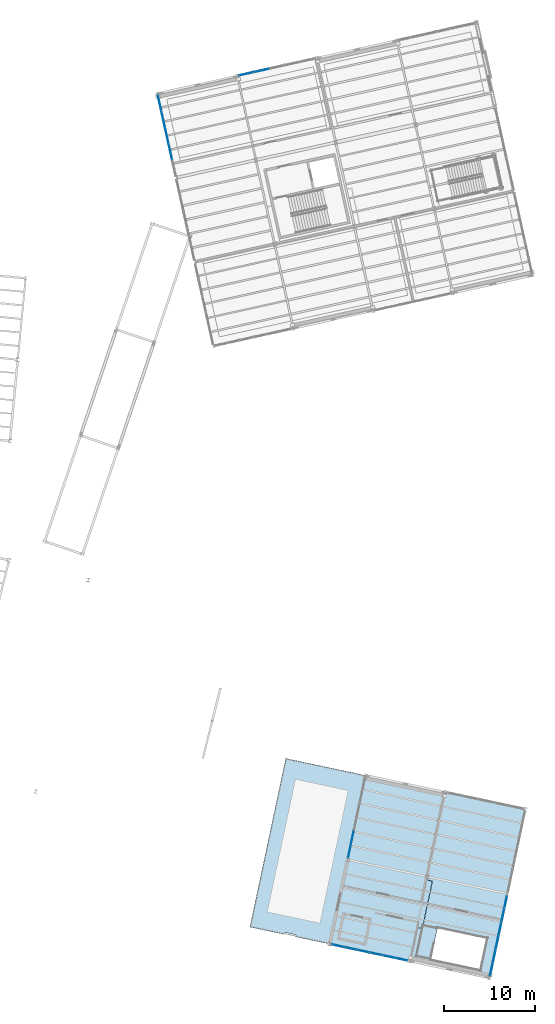
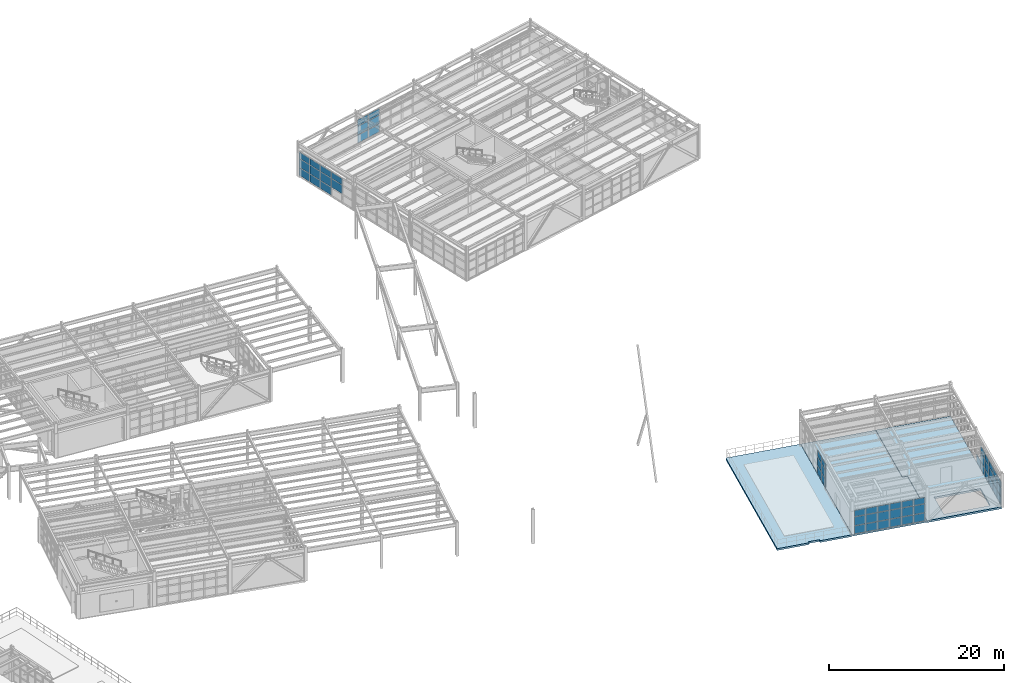
# One storey, part 73 of 109: 57 plates, 3 slabs, 5 elements without a shape of their own.
"""IFC4 building model written with IfcOpenShell, lengths in metres."""

from ifc_helpers import new_model, si_unit, direction, frame, origin, origin_2d, place, context, subcontext, project, spatial, polyline, rectangle, outline, extrude, material, layer, layer_set, type_object, element, aggregate, save


model = new_model("IFC4")

# Units and contexts
model_context = context("Model", 3, precision=1e-05, world=origin(), true_north=direction((0.0, 1.0)))
body_context = subcontext(model_context, "Body", "Model", "MODEL_VIEW")
ifc_project = project(units=[si_unit("LENGTHUNIT", "METRE"), si_unit("AREAUNIT", "SQUARE_METRE"), si_unit("VOLUMEUNIT", "CUBIC_METRE"), si_unit("PLANEANGLEUNIT", "RADIAN"), si_unit("MASSUNIT", "GRAM", prefix="KILO")], contexts=[model_context])

# Site, building, storey
site_placement = place(None, origin())
site = spatial("IfcSite", under=ifc_project, at=site_placement, CompositionType="ELEMENT")
building_placement = place(site_placement, origin())
building = spatial("IfcBuilding", under=site, at=building_placement, Name="Vireo Bluff Cable Station", CompositionType="ELEMENT")
storey_placement = place(building_placement, frame((0.0, 0.0, 4.800048828125)))
storey = spatial("IfcBuildingStorey", under=building, at=storey_placement, Name="L01", CompositionType="ELEMENT", Elevation=4.800048828125)

# Curtain wall, plates
ifc_material_1 = material(Name="Anodized Aluminium 6063-T6", Category="aluminium")
ifc_layer_1 = layer(ifc_material_1, 0.179931640625, Name="Anodized Aluminium 6063-T6")
ifc_layer_set_1 = layer_set([ifc_layer_1], Name="Anodized Aluminium 6063-T6")
curtain_wall_type_1 = type_object("IfcCurtainWallType", Name="CW-UNIT-1400", PredefinedType="USERDEFINED", material=ifc_layer_set_1)
curtain_wall_1_placement = place(storey_placement, origin())
curtain_wall_1 = element("IfcCurtainWall", 1, at=curtain_wall_1_placement, inside=storey, type_object=curtain_wall_type_1, Name="V5E L01 south curtain wall CW-135", ObjectType="UNITISED CURTAIN WALL", PredefinedType="USERDEFINED")
ifc_material_2 = material(Name="Laminated Low-E Insulated Glass", Category="glass")
ifc_layer_2 = layer(ifc_material_2, 0.028076171875, Name="Laminated Low-E Insulated Glass")
ifc_layer_set_2 = layer_set([ifc_layer_2], Name="Laminated Low-E Insulated Glass")
plate_type_1 = type_object("IfcPlateType", Name="CWP-28-1", PredefinedType="CURTAIN_PANEL", material=ifc_layer_set_2)
plate_1_placement = place(storey_placement, frame((146.701171875, 6.4501953125, 0.080078125), z_axis=(0.0, 0.0, 1.0), x_axis=(-0.978147605487, 0.207911668454, 0.0)))
plate_1 = element("IfcPlate", 2, at=plate_1_placement, type_object=plate_type_1, Name="CW-135 panel 1.1", PredefinedType="CURTAIN_PANEL", context=body_context, shape_type="SweptSolid", body=[
    extrude(rectangle(XDim=1.317626953125, YDim=0.028076171875, at=origin_2d()), origin(), (0.0, 0.0, 1.0), 1.070068359375),
])
plate_2_placement = place(storey_placement, frame((146.701171875, 6.4501953125, 1.22998046875), z_axis=(0.0, 0.0, 1.0), x_axis=(-0.978147605487, 0.207911668454, 0.0)))
plate_2 = element("IfcPlate", 3, at=plate_2_placement, type_object=plate_type_1, Name="CW-135 panel 1.2", PredefinedType="CURTAIN_PANEL", context=body_context, shape_type="SweptSolid", body=[
    extrude(rectangle(XDim=1.317626953125, YDim=0.028076171875, at=origin_2d()), origin(), (0.0, 0.0, 1.0), 1.177978515625),
])
plate_3_placement = place(storey_placement, frame((146.701171875, 6.4501953125, 2.488037109375), z_axis=(0.0, 0.0, 1.0), x_axis=(-0.978147605487, 0.207911668454, 0.0)))
plate_3 = element("IfcPlate", 4, at=plate_3_placement, type_object=plate_type_1, Name="CW-135 panel 1.3", PredefinedType="CURTAIN_PANEL", context=body_context, shape_type="SweptSolid", body=[
    extrude(rectangle(XDim=1.317626953125, YDim=0.028076171875, at=origin_2d()), origin(), (0.0, 0.0, 1.0), 0.83203125),
])
plate_4_placement = place(storey_placement, frame((145.314453125, 6.744873046875, 0.080078125), z_axis=(0.0, 0.0, 1.0), x_axis=(-0.978147605487, 0.207911668454, 0.0)))
plate_4 = element("IfcPlate", 5, at=plate_4_placement, type_object=plate_type_1, Name="CW-135 panel 2.1", PredefinedType="CURTAIN_PANEL", context=body_context, shape_type="SweptSolid", body=[
    extrude(rectangle(XDim=1.357666015625, YDim=0.028076171875, at=origin_2d()), origin(), (0.0, 0.0, 1.0), 1.070068359375),
])
plate_5_placement = place(storey_placement, frame((145.314453125, 6.744873046875, 1.22998046875), z_axis=(0.0, 0.0, 1.0), x_axis=(-0.978147605487, 0.207911668454, 0.0)))
plate_5 = element("IfcPlate", 6, at=plate_5_placement, type_object=plate_type_1, Name="CW-135 panel 2.2", PredefinedType="CURTAIN_PANEL", context=body_context, shape_type="SweptSolid", body=[
    extrude(rectangle(XDim=1.357666015625, YDim=0.028076171875, at=origin_2d()), origin(), (0.0, 0.0, 1.0), 1.177978515625),
])
plate_6_placement = place(storey_placement, frame((145.314453125, 6.744873046875, 2.488037109375), z_axis=(0.0, 0.0, 1.0), x_axis=(-0.978147605487, 0.207911668454, 0.0)))
plate_6 = element("IfcPlate", 7, at=plate_6_placement, type_object=plate_type_1, Name="CW-135 panel 2.3", PredefinedType="CURTAIN_PANEL", context=body_context, shape_type="SweptSolid", body=[
    extrude(rectangle(XDim=1.357666015625, YDim=0.028076171875, at=origin_2d()), origin(), (0.0, 0.0, 1.0), 0.83203125),
])
plate_7_placement = place(storey_placement, frame((143.908203125, 7.043701171875, 0.080078125), z_axis=(0.0, 0.0, 1.0), x_axis=(-0.978147605487, 0.207911668454, 0.0)))
plate_7 = element("IfcPlate", 8, at=plate_7_placement, type_object=plate_type_1, Name="CW-135 panel 3.1", PredefinedType="CURTAIN_PANEL", context=body_context, shape_type="SweptSolid", body=[
    extrude(rectangle(XDim=1.357666015625, YDim=0.028076171875, at=origin_2d()), origin(), (0.0, 0.0, 1.0), 1.070068359375),
])
plate_8_placement = place(storey_placement, frame((143.908203125, 7.043701171875, 1.22998046875), z_axis=(0.0, 0.0, 1.0), x_axis=(-0.978147605487, 0.207911668454, 0.0)))
plate_8 = element("IfcPlate", 9, at=plate_8_placement, type_object=plate_type_1, Name="CW-135 panel 3.2", PredefinedType="CURTAIN_PANEL", context=body_context, shape_type="SweptSolid", body=[
    extrude(rectangle(XDim=1.357666015625, YDim=0.028076171875, at=origin_2d()), origin(), (0.0, 0.0, 1.0), 1.177978515625),
])
plate_9_placement = place(storey_placement, frame((143.908203125, 7.043701171875, 2.488037109375), z_axis=(0.0, 0.0, 1.0), x_axis=(-0.978147605487, 0.207911668454, 0.0)))
plate_9 = element("IfcPlate", 10, at=plate_9_placement, type_object=plate_type_1, Name="CW-135 panel 3.3", PredefinedType="CURTAIN_PANEL", context=body_context, shape_type="SweptSolid", body=[
    extrude(rectangle(XDim=1.357666015625, YDim=0.028076171875, at=origin_2d()), origin(), (0.0, 0.0, 1.0), 0.83203125),
])
plate_10_placement = place(storey_placement, frame((142.501953125, 7.342529296875, 0.080078125), z_axis=(0.0, 0.0, 1.0), x_axis=(-0.978147605487, 0.207911668454, 0.0)))
plate_10 = element("IfcPlate", 11, at=plate_10_placement, type_object=plate_type_1, Name="CW-135 panel 4.1", PredefinedType="CURTAIN_PANEL", context=body_context, shape_type="SweptSolid", body=[
    extrude(rectangle(XDim=1.357666015625, YDim=0.028076171875, at=origin_2d()), origin(), (0.0, 0.0, 1.0), 1.070068359375),
])
plate_11_placement = place(storey_placement, frame((142.501953125, 7.342529296875, 1.22998046875), z_axis=(0.0, 0.0, 1.0), x_axis=(-0.978147605487, 0.207911668454, 0.0)))
plate_11 = element("IfcPlate", 12, at=plate_11_placement, type_object=plate_type_1, Name="CW-135 panel 4.2", PredefinedType="CURTAIN_PANEL", context=body_context, shape_type="SweptSolid", body=[
    extrude(rectangle(XDim=1.357666015625, YDim=0.028076171875, at=origin_2d()), origin(), (0.0, 0.0, 1.0), 1.177978515625),
])
plate_12_placement = place(storey_placement, frame((142.501953125, 7.342529296875, 2.488037109375), z_axis=(0.0, 0.0, 1.0), x_axis=(-0.978147605487, 0.207911668454, 0.0)))
plate_12 = element("IfcPlate", 13, at=plate_12_placement, type_object=plate_type_1, Name="CW-135 panel 4.3", PredefinedType="CURTAIN_PANEL", context=body_context, shape_type="SweptSolid", body=[
    extrude(rectangle(XDim=1.357666015625, YDim=0.028076171875, at=origin_2d()), origin(), (0.0, 0.0, 1.0), 0.83203125),
])
plate_13_placement = place(storey_placement, frame((141.095703125, 7.6416015625, 0.080078125), z_axis=(0.0, 0.0, 1.0), x_axis=(-0.978147605487, 0.207911668454, 0.0)))
plate_13 = element("IfcPlate", 14, at=plate_13_placement, type_object=plate_type_1, Name="CW-135 panel 5.1", PredefinedType="CURTAIN_PANEL", context=body_context, shape_type="SweptSolid", body=[
    extrude(rectangle(XDim=1.357666015625, YDim=0.028076171875, at=origin_2d()), origin(), (0.0, 0.0, 1.0), 1.070068359375),
])
plate_14_placement = place(storey_placement, frame((141.095703125, 7.6416015625, 1.22998046875), z_axis=(0.0, 0.0, 1.0), x_axis=(-0.978147605487, 0.207911668454, 0.0)))
plate_14 = element("IfcPlate", 15, at=plate_14_placement, type_object=plate_type_1, Name="CW-135 panel 5.2", PredefinedType="CURTAIN_PANEL", context=body_context, shape_type="SweptSolid", body=[
    extrude(rectangle(XDim=1.357666015625, YDim=0.028076171875, at=origin_2d()), origin(), (0.0, 0.0, 1.0), 1.177978515625),
])
plate_15_placement = place(storey_placement, frame((141.095703125, 7.6416015625, 2.488037109375), z_axis=(0.0, 0.0, 1.0), x_axis=(-0.978147605487, 0.207911668454, 0.0)))
plate_15 = element("IfcPlate", 16, at=plate_15_placement, type_object=plate_type_1, Name="CW-135 panel 5.3", PredefinedType="CURTAIN_PANEL", context=body_context, shape_type="SweptSolid", body=[
    extrude(rectangle(XDim=1.357666015625, YDim=0.028076171875, at=origin_2d()), origin(), (0.0, 0.0, 1.0), 0.83203125),
])
plate_16_placement = place(storey_placement, frame((139.708984375, 7.936279296875, 0.080078125), z_axis=(0.0, 0.0, 1.0), x_axis=(-0.978147605487, 0.207911668454, 0.0)))
plate_16 = element("IfcPlate", 17, at=plate_16_placement, type_object=plate_type_1, Name="CW-135 panel 6.1", PredefinedType="CURTAIN_PANEL", context=body_context, shape_type="SweptSolid", body=[
    extrude(rectangle(XDim=1.317626953125, YDim=0.028076171875, at=origin_2d()), origin(), (0.0, 0.0, 1.0), 1.070068359375),
])
plate_17_placement = place(storey_placement, frame((139.708984375, 7.936279296875, 1.22998046875), z_axis=(0.0, 0.0, 1.0), x_axis=(-0.978147605487, 0.207911668454, 0.0)))
plate_17 = element("IfcPlate", 18, at=plate_17_placement, type_object=plate_type_1, Name="CW-135 panel 6.2", PredefinedType="CURTAIN_PANEL", context=body_context, shape_type="SweptSolid", body=[
    extrude(rectangle(XDim=1.317626953125, YDim=0.028076171875, at=origin_2d()), origin(), (0.0, 0.0, 1.0), 1.177978515625),
])
plate_18_placement = place(storey_placement, frame((139.708984375, 7.936279296875, 2.488037109375), z_axis=(0.0, 0.0, 1.0), x_axis=(-0.978147605487, 0.207911668454, 0.0)))
plate_18 = element("IfcPlate", 19, at=plate_18_placement, type_object=plate_type_1, Name="CW-135 panel 6.3", PredefinedType="CURTAIN_PANEL", context=body_context, shape_type="SweptSolid", body=[
    extrude(rectangle(XDim=1.317626953125, YDim=0.028076171875, at=origin_2d()), origin(), (0.0, 0.0, 1.0), 0.83203125),
])
aggregate(curtain_wall_1, [plate_1, plate_2, plate_3, plate_4, plate_5, plate_6, plate_7, plate_8, plate_9, plate_10, plate_11, plate_12, plate_13, plate_14, plate_15, plate_16, plate_17, plate_18])

ifc_layer_3 = layer(ifc_material_1, 0.159912109375, Name="Anodized Aluminium 6063-T6")
ifc_layer_set_3 = layer_set([ifc_layer_3], Name="Anodized Aluminium 6063-T6")
curtain_wall_type_2 = type_object("IfcCurtainWallType", Name="CW-STICK-1750", PredefinedType="USERDEFINED", material=ifc_layer_set_3)
curtain_wall_2_placement = place(storey_placement, origin())
curtain_wall_2 = element("IfcCurtainWall", 20, at=curtain_wall_2_placement, inside=storey, type_object=curtain_wall_type_2, Name="V2 L01 west curtain wall CW-046", ObjectType="STICK CURTAIN WALL", PredefinedType="USERDEFINED")
ifc_layer_4 = layer(ifc_material_2, 0.031982421875, Name="Laminated Low-E Insulated Glass")
ifc_layer_set_4 = layer_set([ifc_layer_4], Name="Laminated Low-E Insulated Glass")
plate_type_2 = type_object("IfcPlateType", Name="CWP-32-2", PredefinedType="CURTAIN_PANEL", material=ifc_layer_set_4)
plate_19_placement = place(storey_placement, frame((121.251708984375, 95.41845703125, 1.2197265625), z_axis=(0.0, 0.0, 1.0), x_axis=(-0.216439589418, 0.976296012556, 0.0)))
plate_19 = element("IfcPlate", 21, at=plate_19_placement, type_object=plate_type_2, Name="CW-046 panel 2.2", PredefinedType="CURTAIN_PANEL", context=body_context, shape_type="SweptSolid", body=[
    extrude(rectangle(XDim=1.777587890625, YDim=0.031982421875, at=origin_2d()), origin(), (0.0, 0.0, 1.0), 1.197998046875),
])
plate_20_placement = place(storey_placement, frame((121.251708984375, 95.41845703125, 2.47802734375), z_axis=(0.0, 0.0, 1.0), x_axis=(-0.216439589418, 0.976296012556, 0.0)))
plate_20 = element("IfcPlate", 22, at=plate_20_placement, type_object=plate_type_2, Name="CW-046 panel 2.3", PredefinedType="CURTAIN_PANEL", context=body_context, shape_type="SweptSolid", body=[
    extrude(rectangle(XDim=1.777587890625, YDim=0.031982421875, at=origin_2d()), origin(), (0.0, 0.0, 1.0), 0.862060546875),
])
plate_21_placement = place(storey_placement, frame((120.85400390625, 97.21240234375, 0.059814453125), z_axis=(0.0, 0.0, 1.0), x_axis=(-0.216439589418, 0.976296012556, 0.0)))
plate_21 = element("IfcPlate", 23, at=plate_21_placement, type_object=plate_type_2, Name="CW-046 panel 3.1", PredefinedType="CURTAIN_PANEL", context=body_context, shape_type="SweptSolid", body=[
    extrude(rectangle(XDim=1.777587890625, YDim=0.031982421875, at=origin_2d()), origin(), (0.0, 0.0, 1.0), 1.10009765625),
])
plate_22_placement = place(storey_placement, frame((120.85400390625, 97.21240234375, 1.2197265625), z_axis=(0.0, 0.0, 1.0), x_axis=(-0.216439589418, 0.976296012556, 0.0)))
plate_22 = element("IfcPlate", 24, at=plate_22_placement, type_object=plate_type_2, Name="CW-046 panel 3.2", PredefinedType="CURTAIN_PANEL", context=body_context, shape_type="SweptSolid", body=[
    extrude(rectangle(XDim=1.777587890625, YDim=0.031982421875, at=origin_2d()), origin(), (0.0, 0.0, 1.0), 1.197998046875),
])
plate_23_placement = place(storey_placement, frame((120.85400390625, 97.21240234375, 2.47802734375), z_axis=(0.0, 0.0, 1.0), x_axis=(-0.216439589418, 0.976296012556, 0.0)))
plate_23 = element("IfcPlate", 25, at=plate_23_placement, type_object=plate_type_2, Name="CW-046 panel 3.3", PredefinedType="CURTAIN_PANEL", context=body_context, shape_type="SweptSolid", body=[
    extrude(rectangle(XDim=1.777587890625, YDim=0.031982421875, at=origin_2d()), origin(), (0.0, 0.0, 1.0), 0.862060546875),
])
plate_24_placement = place(storey_placement, frame((120.456298828125, 99.00634765625, 0.059814453125), z_axis=(0.0, 0.0, 1.0), x_axis=(-0.216439589418, 0.976296012556, 0.0)))
plate_24 = element("IfcPlate", 26, at=plate_24_placement, type_object=plate_type_2, Name="CW-046 panel 4.1", PredefinedType="CURTAIN_PANEL", context=body_context, shape_type="SweptSolid", body=[
    extrude(rectangle(XDim=1.777587890625, YDim=0.031982421875, at=origin_2d()), origin(), (0.0, 0.0, 1.0), 1.10009765625),
])
plate_25_placement = place(storey_placement, frame((120.456298828125, 99.00634765625, 1.2197265625), z_axis=(0.0, 0.0, 1.0), x_axis=(-0.216439589418, 0.976296012556, 0.0)))
plate_25 = element("IfcPlate", 27, at=plate_25_placement, type_object=plate_type_2, Name="CW-046 panel 4.2", PredefinedType="CURTAIN_PANEL", context=body_context, shape_type="SweptSolid", body=[
    extrude(rectangle(XDim=1.777587890625, YDim=0.031982421875, at=origin_2d()), origin(), (0.0, 0.0, 1.0), 1.197998046875),
])
plate_26_placement = place(storey_placement, frame((120.456298828125, 99.00634765625, 2.47802734375), z_axis=(0.0, 0.0, 1.0), x_axis=(-0.216439589418, 0.976296012556, 0.0)))
plate_26 = element("IfcPlate", 28, at=plate_26_placement, type_object=plate_type_2, Name="CW-046 panel 4.3", PredefinedType="CURTAIN_PANEL", context=body_context, shape_type="SweptSolid", body=[
    extrude(rectangle(XDim=1.777587890625, YDim=0.031982421875, at=origin_2d()), origin(), (0.0, 0.0, 1.0), 0.862060546875),
])
plate_27_placement = place(storey_placement, frame((120.061767578125, 100.785888671875, 0.059814453125), z_axis=(0.0, 0.0, 1.0), x_axis=(-0.216439589418, 0.976296012556, 0.0)))
plate_27 = element("IfcPlate", 29, at=plate_27_placement, type_object=plate_type_2, Name="CW-046 panel 5.1", PredefinedType="CURTAIN_PANEL", context=body_context, shape_type="SweptSolid", body=[
    extrude(rectangle(XDim=1.74755859375, YDim=0.031982421875, at=origin_2d()), origin(), (0.0, 0.0, 1.0), 1.10009765625),
])
plate_28_placement = place(storey_placement, frame((120.061767578125, 100.785888671875, 1.2197265625), z_axis=(0.0, 0.0, 1.0), x_axis=(-0.216439589418, 0.976296012556, 0.0)))
plate_28 = element("IfcPlate", 30, at=plate_28_placement, type_object=plate_type_2, Name="CW-046 panel 5.2", PredefinedType="CURTAIN_PANEL", context=body_context, shape_type="SweptSolid", body=[
    extrude(rectangle(XDim=1.74755859375, YDim=0.031982421875, at=origin_2d()), origin(), (0.0, 0.0, 1.0), 1.197998046875),
])
plate_29_placement = place(storey_placement, frame((120.061767578125, 100.785888671875, 2.47802734375), z_axis=(0.0, 0.0, 1.0), x_axis=(-0.216439589418, 0.976296012556, 0.0)))
plate_29 = element("IfcPlate", 31, at=plate_29_placement, type_object=plate_type_2, Name="CW-046 panel 5.3", PredefinedType="CURTAIN_PANEL", context=body_context, shape_type="SweptSolid", body=[
    extrude(rectangle(XDim=1.74755859375, YDim=0.031982421875, at=origin_2d()), origin(), (0.0, 0.0, 1.0), 0.862060546875),
])
aggregate(curtain_wall_2, [plate_19, plate_20, plate_21, plate_22, plate_23, plate_24, plate_25, plate_26, plate_27, plate_28, plate_29])

ifc_layer_5 = layer(ifc_material_1, 0.179931640625, Name="Anodized Aluminium 6063-T6")
ifc_layer_set_5 = layer_set([ifc_layer_5], Name="Anodized Aluminium 6063-T6")
curtain_wall_type_3 = type_object("IfcCurtainWallType", Name="CW-UNIT-1500", PredefinedType="USERDEFINED", material=ifc_layer_set_5)
curtain_wall_3_placement = place(storey_placement, origin())
curtain_wall_3 = element("IfcCurtainWall", 32, at=curtain_wall_3_placement, inside=storey, type_object=curtain_wall_type_3, Name="V5E L01 west curtain wall CW-136", ObjectType="UNITISED CURTAIN WALL", PredefinedType="USERDEFINED")
plate_30_placement = place(storey_placement, frame((140.978515625, 18.36181640625, 0.06494140625), z_axis=(0.0, 0.0, 1.0), x_axis=(0.207911694642, 0.978147599921, 0.0)))
plate_30 = element("IfcPlate", 33, at=plate_30_placement, type_object=plate_type_2, Name="CW-136 panel 1.1", PredefinedType="CURTAIN_PANEL", context=body_context, shape_type="SweptSolid", body=[
    extrude(rectangle(XDim=1.429443359375, YDim=0.031982421875, at=origin_2d()), origin(), (0.0, 0.0, 1.0), 1.092529296875),
])
plate_31_placement = place(storey_placement, frame((140.978515625, 18.36181640625, 1.22216796875), z_axis=(0.0, 0.0, 1.0), x_axis=(0.207911694642, 0.978147599921, 0.0)))
plate_31 = element("IfcPlate", 34, at=plate_31_placement, type_object=plate_type_2, Name="CW-136 panel 1.2", PredefinedType="CURTAIN_PANEL", context=body_context, shape_type="SweptSolid", body=[
    extrude(rectangle(XDim=1.429443359375, YDim=0.031982421875, at=origin_2d()), origin(), (0.0, 0.0, 1.0), 1.193115234375),
])
plate_32_placement = place(storey_placement, frame((140.978515625, 18.36181640625, 2.48046875), z_axis=(0.0, 0.0, 1.0), x_axis=(0.207911694642, 0.978147599921, 0.0)))
plate_32 = element("IfcPlate", 35, at=plate_32_placement, type_object=plate_type_2, Name="CW-136 panel 1.3", PredefinedType="CURTAIN_PANEL", context=body_context, shape_type="SweptSolid", body=[
    extrude(rectangle(XDim=1.429443359375, YDim=0.031982421875, at=origin_2d()), origin(), (0.0, 0.0, 1.0), 0.8544921875),
])
plate_33_placement = place(storey_placement, frame((141.29248046875, 19.83935546875, 0.06494140625), z_axis=(0.0, 0.0, 1.0), x_axis=(0.207911694642, 0.978147599921, 0.0)))
plate_33 = element("IfcPlate", 36, at=plate_33_placement, type_object=plate_type_2, Name="CW-136 panel 2.1", PredefinedType="CURTAIN_PANEL", context=body_context, shape_type="SweptSolid", body=[
    extrude(rectangle(XDim=1.4619140625, YDim=0.031982421875, at=origin_2d()), origin(), (0.0, 0.0, 1.0), 1.092529296875),
])
plate_34_placement = place(storey_placement, frame((141.29248046875, 19.83935546875, 1.22216796875), z_axis=(0.0, 0.0, 1.0), x_axis=(0.207911694642, 0.978147599921, 0.0)))
plate_34 = element("IfcPlate", 37, at=plate_34_placement, type_object=plate_type_2, Name="CW-136 panel 2.2", PredefinedType="CURTAIN_PANEL", context=body_context, shape_type="SweptSolid", body=[
    extrude(rectangle(XDim=1.4619140625, YDim=0.031982421875, at=origin_2d()), origin(), (0.0, 0.0, 1.0), 1.193115234375),
])
plate_35_placement = place(storey_placement, frame((141.29248046875, 19.83935546875, 2.48046875), z_axis=(0.0, 0.0, 1.0), x_axis=(0.207911694642, 0.978147599921, 0.0)))
plate_35 = element("IfcPlate", 38, at=plate_35_placement, type_object=plate_type_2, Name="CW-136 panel 2.3", PredefinedType="CURTAIN_PANEL", context=body_context, shape_type="SweptSolid", body=[
    extrude(rectangle(XDim=1.4619140625, YDim=0.031982421875, at=origin_2d()), origin(), (0.0, 0.0, 1.0), 0.8544921875),
])
aggregate(curtain_wall_3, [plate_30, plate_31, plate_32, plate_33, plate_34, plate_35])

ifc_layer_6 = layer(ifc_material_1, 0.179931640625, Name="Anodized Aluminium 6063-T6")
ifc_layer_set_6 = layer_set([ifc_layer_6], Name="Anodized Aluminium 6063-T6")
curtain_wall_type_4 = type_object("IfcCurtainWallType", Name="CW-UNIT-1650", PredefinedType="USERDEFINED", material=ifc_layer_set_6)
curtain_wall_4_placement = place(storey_placement, origin())
curtain_wall_4 = element("IfcCurtainWall", 39, at=curtain_wall_4_placement, inside=storey, type_object=curtain_wall_type_4, Name="V2 L01 north curtain wall CW-047", ObjectType="UNITISED CURTAIN WALL", PredefinedType="USERDEFINED")
ifc_layer_7 = layer(ifc_material_2, 0.035888671875, Name="Laminated Low-E Insulated Glass")
ifc_layer_set_7 = layer_set([ifc_layer_7], Name="Laminated Low-E Insulated Glass")
plate_type_3 = type_object("IfcPlateType", Name="CWP-36-3", PredefinedType="CURTAIN_PANEL", material=ifc_layer_set_7)
plate_36_placement = place(storey_placement, frame((129.61279296875, 103.992919921875, 0.080078125), z_axis=(0.0, 0.0, 1.0), x_axis=(0.976296005412, 0.21643962164, 0.0)))
plate_36 = element("IfcPlate", 40, at=plate_36_placement, type_object=plate_type_3, Name="CW-047 panel 1.1", PredefinedType="CURTAIN_PANEL", context=body_context, shape_type="SweptSolid", body=[
    extrude(rectangle(XDim=1.616455078125, YDim=0.035888671875, at=origin_2d()), origin(), (0.0, 0.0, 1.0), 1.070068359375),
])
plate_37_placement = place(storey_placement, frame((129.61279296875, 103.992919921875, 1.22998046875), z_axis=(0.0, 0.0, 1.0), x_axis=(0.976296005412, 0.21643962164, 0.0)))
plate_37 = element("IfcPlate", 41, at=plate_37_placement, type_object=plate_type_3, Name="CW-047 panel 1.2", PredefinedType="CURTAIN_PANEL", context=body_context, shape_type="SweptSolid", body=[
    extrude(rectangle(XDim=1.616455078125, YDim=0.035888671875, at=origin_2d()), origin(), (0.0, 0.0, 1.0), 1.177978515625),
])
plate_38_placement = place(storey_placement, frame((129.61279296875, 103.992919921875, 2.488037109375), z_axis=(0.0, 0.0, 1.0), x_axis=(0.976296005412, 0.21643962164, 0.0)))
plate_38 = element("IfcPlate", 42, at=plate_38_placement, type_object=plate_type_3, Name="CW-047 panel 1.3", PredefinedType="CURTAIN_PANEL", context=body_context, shape_type="SweptSolid", body=[
    extrude(rectangle(XDim=1.616455078125, YDim=0.035888671875, at=origin_2d()), origin(), (0.0, 0.0, 1.0), 0.83203125),
])
plate_39_placement = place(storey_placement, frame((131.28857421875, 104.364501953125, 0.080078125), z_axis=(0.0, 0.0, 1.0), x_axis=(0.976296005412, 0.21643962164, 0.0)))
plate_39 = element("IfcPlate", 43, at=plate_39_placement, type_object=plate_type_3, Name="CW-047 panel 2.1", PredefinedType="CURTAIN_PANEL", context=body_context, shape_type="SweptSolid", body=[
    extrude(rectangle(XDim=1.656494140625, YDim=0.035888671875, at=origin_2d()), origin(), (0.0, 0.0, 1.0), 1.070068359375),
])
plate_40_placement = place(storey_placement, frame((131.28857421875, 104.364501953125, 1.22998046875), z_axis=(0.0, 0.0, 1.0), x_axis=(0.976296005412, 0.21643962164, 0.0)))
plate_40 = element("IfcPlate", 44, at=plate_40_placement, type_object=plate_type_3, Name="CW-047 panel 2.2", PredefinedType="CURTAIN_PANEL", context=body_context, shape_type="SweptSolid", body=[
    extrude(rectangle(XDim=1.656494140625, YDim=0.035888671875, at=origin_2d()), origin(), (0.0, 0.0, 1.0), 1.177978515625),
])
plate_41_placement = place(storey_placement, frame((131.28857421875, 104.364501953125, 2.488037109375), z_axis=(0.0, 0.0, 1.0), x_axis=(0.976296005412, 0.21643962164, 0.0)))
plate_41 = element("IfcPlate", 45, at=plate_41_placement, type_object=plate_type_3, Name="CW-047 panel 2.3", PredefinedType="CURTAIN_PANEL", context=body_context, shape_type="SweptSolid", body=[
    extrude(rectangle(XDim=1.656494140625, YDim=0.035888671875, at=origin_2d()), origin(), (0.0, 0.0, 1.0), 0.83203125),
])
aggregate(curtain_wall_4, [plate_36, plate_37, plate_38, plate_39, plate_40, plate_41])

curtain_wall_5_placement = place(storey_placement, origin())
curtain_wall_5 = element("IfcCurtainWall", 46, at=curtain_wall_5_placement, inside=storey, type_object=curtain_wall_type_3, Name="V5E L01 east curtain wall CW-139", ObjectType="UNITISED CURTAIN WALL", PredefinedType="USERDEFINED")
ifc_material_3 = material(Name="Insulated Spandrel Glass Panel", Category="glass")
ifc_layer_8 = layer(ifc_material_3, 0.048095703125, Name="Insulated Spandrel Glass Panel")
ifc_layer_set_8 = layer_set([ifc_layer_8], Name="Insulated Spandrel Glass Panel")
plate_type_4 = type_object("IfcPlateType", Name="CWP-48-5", PredefinedType="CURTAIN_PANEL", material=ifc_layer_set_8)
plate_42_placement = place(storey_placement, frame((158.194091796875, 12.779541015625, 0.080078125), z_axis=(0.0, 0.0, 1.0), x_axis=(-0.207911684467, -0.978147602084, 0.0)))
plate_42 = element("IfcPlate", 47, at=plate_42_placement, type_object=plate_type_4, Name="CW-139 panel 1.1", PredefinedType="CURTAIN_PANEL", context=body_context, shape_type="SweptSolid", body=[
    extrude(rectangle(XDim=1.41064453125, YDim=0.048095703125, at=origin_2d()), origin(), (0.0, 0.0, 1.0), 1.070068359375),
])
plate_43_placement = place(storey_placement, frame((157.8798828125, 11.302001953125, 0.080078125), z_axis=(0.0, 0.0, 1.0), x_axis=(-0.207911684467, -0.978147602084, 0.0)))
plate_43 = element("IfcPlate", 48, at=plate_43_placement, type_object=plate_type_4, Name="CW-139 panel 2.1", PredefinedType="CURTAIN_PANEL", context=body_context, shape_type="SweptSolid", body=[
    extrude(rectangle(XDim=1.45068359375, YDim=0.048095703125, at=origin_2d()), origin(), (0.0, 0.0, 1.0), 1.070068359375),
])
plate_44_placement = place(storey_placement, frame((157.8798828125, 11.302001953125, 1.22998046875), z_axis=(0.0, 0.0, 1.0), x_axis=(-0.207911684467, -0.978147602084, 0.0)))
plate_44 = element("IfcPlate", 49, at=plate_44_placement, type_object=plate_type_4, Name="CW-139 panel 2.2", PredefinedType="CURTAIN_PANEL", context=body_context, shape_type="SweptSolid", body=[
    extrude(rectangle(XDim=1.45068359375, YDim=0.048095703125, at=origin_2d()), origin(), (0.0, 0.0, 1.0), 1.177978515625),
])
plate_45_placement = place(storey_placement, frame((157.8798828125, 11.302001953125, 2.488037109375), z_axis=(0.0, 0.0, 1.0), x_axis=(-0.207911684467, -0.978147602084, 0.0)))
plate_45 = element("IfcPlate", 50, at=plate_45_placement, type_object=plate_type_4, Name="CW-139 panel 2.3", PredefinedType="CURTAIN_PANEL", context=body_context, shape_type="SweptSolid", body=[
    extrude(rectangle(XDim=1.45068359375, YDim=0.048095703125, at=origin_2d()), origin(), (0.0, 0.0, 1.0), 0.83203125),
])
plate_46_placement = place(storey_placement, frame((157.561767578125, 9.8046875, 0.080078125), z_axis=(0.0, 0.0, 1.0), x_axis=(-0.207911684467, -0.978147602084, 0.0)))
plate_46 = element("IfcPlate", 51, at=plate_46_placement, type_object=plate_type_4, Name="CW-139 panel 3.1", PredefinedType="CURTAIN_PANEL", context=body_context, shape_type="SweptSolid", body=[
    extrude(rectangle(XDim=1.45068359375, YDim=0.048095703125, at=origin_2d()), origin(), (0.0, 0.0, 1.0), 1.070068359375),
])
plate_47_placement = place(storey_placement, frame((157.561767578125, 9.8046875, 1.22998046875), z_axis=(0.0, 0.0, 1.0), x_axis=(-0.207911684467, -0.978147602084, 0.0)))
plate_47 = element("IfcPlate", 52, at=plate_47_placement, type_object=plate_type_4, Name="CW-139 panel 3.2", PredefinedType="CURTAIN_PANEL", context=body_context, shape_type="SweptSolid", body=[
    extrude(rectangle(XDim=1.45068359375, YDim=0.048095703125, at=origin_2d()), origin(), (0.0, 0.0, 1.0), 1.177978515625),
])
plate_48_placement = place(storey_placement, frame((157.561767578125, 9.8046875, 2.488037109375), z_axis=(0.0, 0.0, 1.0), x_axis=(-0.207911684467, -0.978147602084, 0.0)))
plate_48 = element("IfcPlate", 53, at=plate_48_placement, type_object=plate_type_4, Name="CW-139 panel 3.3", PredefinedType="CURTAIN_PANEL", context=body_context, shape_type="SweptSolid", body=[
    extrude(rectangle(XDim=1.45068359375, YDim=0.048095703125, at=origin_2d()), origin(), (0.0, 0.0, 1.0), 0.83203125),
])
plate_49_placement = place(storey_placement, frame((157.243408203125, 8.307373046875, 0.080078125), z_axis=(0.0, 0.0, 1.0), x_axis=(-0.207911684467, -0.978147602084, 0.0)))
plate_49 = element("IfcPlate", 54, at=plate_49_placement, type_object=plate_type_4, Name="CW-139 panel 4.1", PredefinedType="CURTAIN_PANEL", context=body_context, shape_type="SweptSolid", body=[
    extrude(rectangle(XDim=1.45068359375, YDim=0.048095703125, at=origin_2d()), origin(), (0.0, 0.0, 1.0), 1.070068359375),
])
plate_50_placement = place(storey_placement, frame((157.243408203125, 8.307373046875, 1.22998046875), z_axis=(0.0, 0.0, 1.0), x_axis=(-0.207911684467, -0.978147602084, 0.0)))
plate_50 = element("IfcPlate", 55, at=plate_50_placement, type_object=plate_type_4, Name="CW-139 panel 4.2", PredefinedType="CURTAIN_PANEL", context=body_context, shape_type="SweptSolid", body=[
    extrude(rectangle(XDim=1.45068359375, YDim=0.048095703125, at=origin_2d()), origin(), (0.0, 0.0, 1.0), 1.177978515625),
])
plate_51_placement = place(storey_placement, frame((157.243408203125, 8.307373046875, 2.488037109375), z_axis=(0.0, 0.0, 1.0), x_axis=(-0.207911684467, -0.978147602084, 0.0)))
plate_51 = element("IfcPlate", 56, at=plate_51_placement, type_object=plate_type_4, Name="CW-139 panel 4.3", PredefinedType="CURTAIN_PANEL", context=body_context, shape_type="SweptSolid", body=[
    extrude(rectangle(XDim=1.45068359375, YDim=0.048095703125, at=origin_2d()), origin(), (0.0, 0.0, 1.0), 0.83203125),
])
plate_52_placement = place(storey_placement, frame((156.92529296875, 6.810302734375, 0.080078125), z_axis=(0.0, 0.0, 1.0), x_axis=(-0.207911684467, -0.978147602084, 0.0)))
plate_52 = element("IfcPlate", 57, at=plate_52_placement, type_object=plate_type_4, Name="CW-139 panel 5.1", PredefinedType="CURTAIN_PANEL", context=body_context, shape_type="SweptSolid", body=[
    extrude(rectangle(XDim=1.45068359375, YDim=0.048095703125, at=origin_2d()), origin(), (0.0, 0.0, 1.0), 1.070068359375),
])
plate_53_placement = place(storey_placement, frame((156.92529296875, 6.810302734375, 1.22998046875), z_axis=(0.0, 0.0, 1.0), x_axis=(-0.207911684467, -0.978147602084, 0.0)))
plate_53 = element("IfcPlate", 58, at=plate_53_placement, type_object=plate_type_4, Name="CW-139 panel 5.2", PredefinedType="CURTAIN_PANEL", context=body_context, shape_type="SweptSolid", body=[
    extrude(rectangle(XDim=1.45068359375, YDim=0.048095703125, at=origin_2d()), origin(), (0.0, 0.0, 1.0), 1.177978515625),
])
plate_54_placement = place(storey_placement, frame((156.92529296875, 6.810302734375, 2.488037109375), z_axis=(0.0, 0.0, 1.0), x_axis=(-0.207911684467, -0.978147602084, 0.0)))
plate_54 = element("IfcPlate", 59, at=plate_54_placement, type_object=plate_type_4, Name="CW-139 panel 5.3", PredefinedType="CURTAIN_PANEL", context=body_context, shape_type="SweptSolid", body=[
    extrude(rectangle(XDim=1.45068359375, YDim=0.048095703125, at=origin_2d()), origin(), (0.0, 0.0, 1.0), 0.83203125),
])
plate_55_placement = place(storey_placement, frame((156.611083984375, 5.33251953125, 0.080078125), z_axis=(0.0, 0.0, 1.0), x_axis=(-0.207911684467, -0.978147602084, 0.0)))
plate_55 = element("IfcPlate", 60, at=plate_55_placement, type_object=plate_type_4, Name="CW-139 panel 6.1", PredefinedType="CURTAIN_PANEL", context=body_context, shape_type="SweptSolid", body=[
    extrude(rectangle(XDim=1.41064453125, YDim=0.048095703125, at=origin_2d()), origin(), (0.0, 0.0, 1.0), 1.070068359375),
])
plate_56_placement = place(storey_placement, frame((156.611083984375, 5.33251953125, 1.22998046875), z_axis=(0.0, 0.0, 1.0), x_axis=(-0.207911684467, -0.978147602084, 0.0)))
plate_56 = element("IfcPlate", 61, at=plate_56_placement, type_object=plate_type_4, Name="CW-139 panel 6.2", PredefinedType="CURTAIN_PANEL", context=body_context, shape_type="SweptSolid", body=[
    extrude(rectangle(XDim=1.41064453125, YDim=0.048095703125, at=origin_2d()), origin(), (0.0, 0.0, 1.0), 1.177978515625),
])
plate_57_placement = place(storey_placement, frame((156.611083984375, 5.33251953125, 2.488037109375), z_axis=(0.0, 0.0, 1.0), x_axis=(-0.207911684467, -0.978147602084, 0.0)))
plate_57 = element("IfcPlate", 62, at=plate_57_placement, type_object=plate_type_4, Name="CW-139 panel 6.3", PredefinedType="CURTAIN_PANEL", context=body_context, shape_type="SweptSolid", body=[
    extrude(rectangle(XDim=1.41064453125, YDim=0.048095703125, at=origin_2d()), origin(), (0.0, 0.0, 1.0), 0.83203125),
])
aggregate(curtain_wall_5, [plate_42, plate_43, plate_44, plate_45, plate_46, plate_47, plate_48, plate_49, plate_50, plate_51, plate_52, plate_53, plate_54, plate_55, plate_56, plate_57])

# Slabs
ifc_material_4 = material(Name="Concrete f'c 40 MPa", Category="concrete")
ifc_layer_9 = layer(ifc_material_4, 0.199951171875, Name="Concrete f'c 40 MPa")
ifc_layer_set_9 = layer_set([ifc_layer_9], Name="Concrete f'c 40 MPa")
slab_type_1 = type_object("IfcSlabType", Name="FLOORSLAB-200", PredefinedType="FLOOR", material=ifc_layer_set_9)
slab_1_placement = place(storey_placement, frame((0.0, 0.0, -0.199951171875)))
element("IfcSlab", 63, at=slab_1_placement, inside=storey, type_object=slab_type_1, Name="V5E L01 floor slab bay 1", PredefinedType="FLOOR", context=body_context, shape_type="SweptSolid", body=[
    extrude(outline(polyline([(138.80322265625, 8.12890625), (147.596923828125, 6.259765625), (148.386962890625, 9.9765625), (148.993408203125, 9.84765625), (150.099365234375, 15.051513671875), (149.492919921875, 15.180419921875), (151.547119140625, 24.844482421875), (142.753662109375, 26.713623046875), (138.80322265625, 8.12890625)])), origin(), (0.0, 0.0, 1.0), 0.199951171875),
])
ifc_layer_10 = layer(ifc_material_4, 0.260009765625, Name="Concrete f'c 40 MPa")
ifc_layer_set_10 = layer_set([ifc_layer_10], Name="Concrete f'c 40 MPa")
slab_type_2 = type_object("IfcSlabType", Name="FLOORSLAB-260", PredefinedType="FLOOR", material=ifc_layer_set_10)
slab_2_placement = place(storey_placement, frame((0.0, 0.0, -0.260009765625)))
element("IfcSlab", 64, at=slab_2_placement, inside=storey, type_object=slab_type_2, Name="V5E L01 floor slab bay 2", PredefinedType="FLOOR", context=body_context, shape_type="SweptSolid", body=[
    extrude(outline(polyline([(147.616455078125, 6.255615234375), (156.409912109375, 4.386474609375), (160.3603515625, 22.97119140625), (151.566650390625, 24.84033203125), (149.516845703125, 15.19580078125), (150.123291015625, 15.06689453125), (149.0087890625, 9.823974609375), (148.40234375, 9.952880859375), (147.616455078125, 6.255615234375)]), holes=[polyline([(149.924072265625, 6.430419921875), (150.663818359375, 9.910888671875), (156.110595703125, 8.753173828125), (155.370849609375, 5.272705078125), (149.924072265625, 6.430419921875)])]), origin(), (0.0, 0.0, 1.0), 0.260009765625),
])
ifc_layer_11 = layer(ifc_material_4, 0.25, Name="Concrete f'c 40 MPa")
ifc_layer_set_11 = layer_set([ifc_layer_11], Name="Concrete f'c 40 MPa")
slab_type_3 = type_object("IfcSlabType", Name="TERRACESLAB-250", PredefinedType="FLOOR", material=ifc_layer_set_11)
slab_3_placement = place(storey_placement, frame((0.0, 0.0, -0.25)))
element("IfcSlab", 65, at=slab_3_placement, inside=storey, type_object=slab_type_3, Name="V5E L01 walkable outdoor terrace slab", PredefinedType="FLOOR", context=body_context, shape_type="SweptSolid", body=[
    extrude(outline(polyline([(130.0, 10.0), (133.756103515625, 9.20166015625), (133.8017578125, 9.416748046875), (135.073486328125, 9.146484375), (135.027587890625, 8.931396484375), (138.78369140625, 8.133056640625), (142.734130859375, 26.7177734375), (133.950439453125, 28.584716796875), (130.0, 10.0)])), origin(), (0.0, 0.0, 1.0), 0.25),
])

save(model, "model.ifc")
